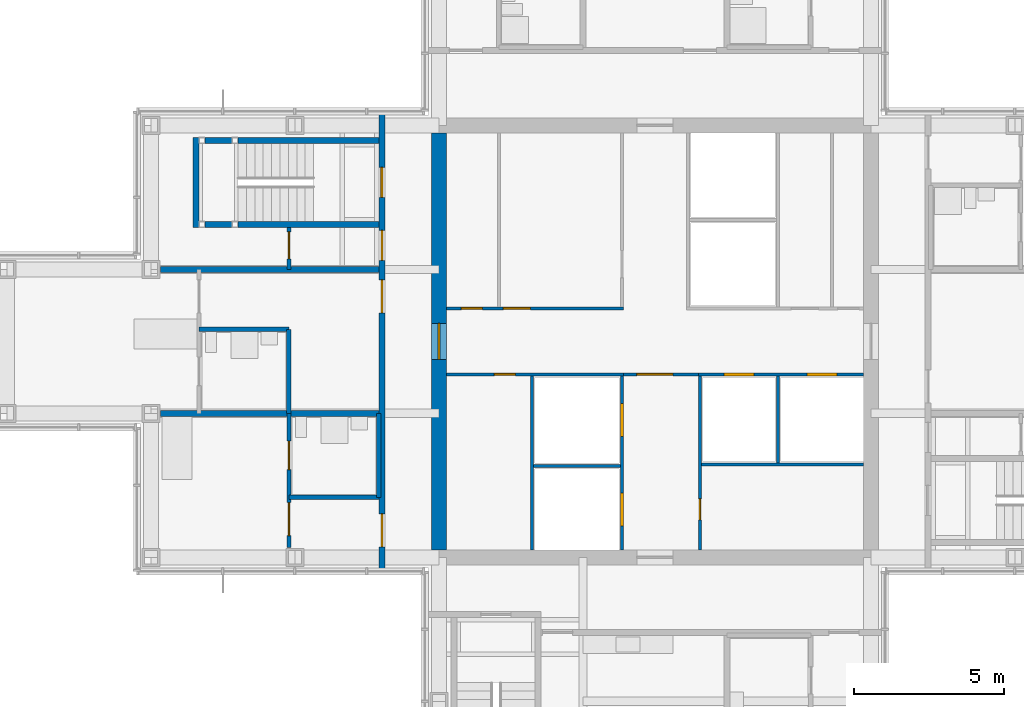
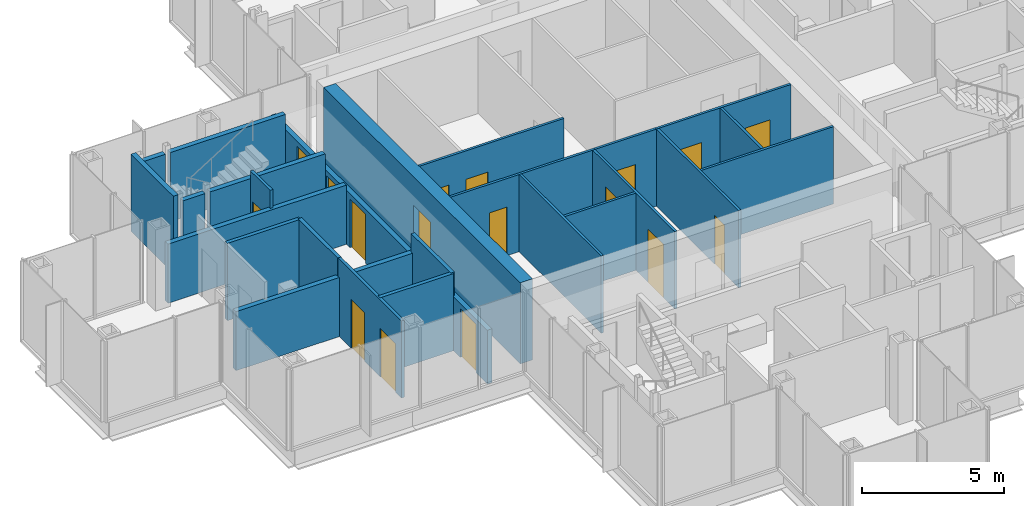
# One storey, part 12 of 17: 25 walls, 17 doors, 17 openings.
"""IFC4 building model written with IfcOpenShell, lengths in metres."""

import ifcopenshell
import ifcopenshell.guid

model = None  # the IFC model being written
_history = None  # IfcOwnerHistory: only IFC2X3 demands one
_inside = {}  # id of a spatial element -> (the spatial element, [elements in it])
_under = {}  # id of a project, library or spatial element -> (it, [spatial elements below it])
_declared = {}  # id of a project -> (the project, [libraries it declares])
_typed = {}  # id of a type object -> (the type object, [elements of that type])
_made_of = {}  # id of a material, layer set ... -> (it, [elements and type objects made of it])


def new_model(schema):
    """Start an empty IFC model of exactly this schema.

    Asked for "IFC4X3", IfcOpenShell would pick the latest addendum, in which some entities
    have other attributes; the version numbers below select the first issue.
    IFC2X3 requires an IfcOwnerHistory on every rooted entity: one is made here for all.
    """
    global model, _history
    if schema == "IFC4X3":
        model = ifcopenshell.file(schema_version=(4, 3, 0, 0))
    else:
        model = ifcopenshell.file(schema=schema)
    _inside.clear()
    _under.clear()
    _declared.clear()
    _typed.clear()
    _made_of.clear()
    _history = None
    if model.schema == "IFC2X3":
        org = make("IfcOrganization", Name="unknown")
        user = make(
            "IfcPersonAndOrganization",
            ThePerson=make("IfcPerson", FamilyName="unknown"),
            TheOrganization=org,
        )
        app = make(
            "IfcApplication",
            ApplicationDeveloper=org,
            Version="unknown",
            ApplicationFullName="unknown",
            ApplicationIdentifier="unknown",
        )
        _history = make(
            "IfcOwnerHistory",
            OwningUser=user,
            OwningApplication=app,
            ChangeAction="ADDED",
            CreationDate=0,
        )
    return model


def make(cls, **values):
    """One entity of the class cls with the attributes given. An attribute that is None is left unset."""
    return model.create_entity(
        cls, **{name: value for name, value in values.items() if value is not None}
    )


def rooted(cls, **values):
    """An entity with a GlobalId (a new one), such as an element, a storey or a relation."""
    return make(cls, GlobalId=ifcopenshell.guid.new(), OwnerHistory=_history, **values)


def si_unit(unit_type, name, prefix=None):
    """IfcSIUnit, for example si_unit("LENGTHUNIT", "METRE", prefix="MILLI")."""
    return make("IfcSIUnit", UnitType=unit_type, Prefix=prefix, Name=name)


def assignment(units):
    """IfcUnitAssignment: the units of a project."""
    return None if units is None else make("IfcUnitAssignment", Units=units)


def point(xyz):
    """IfcCartesianPoint."""
    return None if xyz is None else make("IfcCartesianPoint", Coordinates=xyz)


def direction(xyz):
    """IfcDirection."""
    return None if xyz is None else make("IfcDirection", DirectionRatios=xyz)


def frame(location, z_axis=None, x_axis=None):
    """IfcAxis2Placement3D, a coordinate frame: its origin and axes. An axis left out is left unset."""
    return make(
        "IfcAxis2Placement3D",
        Location=point(location),
        Axis=direction(z_axis),
        RefDirection=direction(x_axis),
    )


def frame_2d(location, x_axis=None):
    """IfcAxis2Placement2D, a coordinate frame in the plane: its origin and x axis."""
    return make(
        "IfcAxis2Placement2D", Location=point(location), RefDirection=direction(x_axis)
    )


def origin():
    """The frame at (0, 0, 0) with its axes left unset."""
    return frame((0.0, 0.0, 0.0))


def place(relative_to, where):
    """IfcLocalPlacement: puts the frame where relative to a parent placement (None: the world)."""
    return make(
        "IfcLocalPlacement", PlacementRelTo=relative_to, RelativePlacement=where
    )


def context(
    kind, dimensions, precision=None, world=None, true_north=None, identifier=None
):
    """IfcGeometricRepresentationContext, for example the 3D "Model" context."""
    return make(
        "IfcGeometricRepresentationContext",
        ContextIdentifier=identifier,
        ContextType=kind,
        CoordinateSpaceDimension=dimensions,
        Precision=precision,
        WorldCoordinateSystem=world,
        TrueNorth=true_north,
    )


def subcontext(parent, identifier, kind, view, scale=None):
    """IfcGeometricRepresentationSubContext, for example "Body" below "Model"."""
    return make(
        "IfcGeometricRepresentationSubContext",
        ContextIdentifier=identifier,
        ContextType=kind,
        ParentContext=parent,
        TargetScale=scale,
        TargetView=view,
    )


def project(units=None, contexts=None):
    """IfcProject with its units and contexts."""
    return rooted(
        "IfcProject",
        Name="project",
        RepresentationContexts=contexts,
        UnitsInContext=assignment(units),
    )


def spatial(cls, under=None, at=None, **own):
    """A site, building, storey or space (cls), placed at a placement, below another one or the project."""
    s = rooted(cls, ObjectPlacement=at, **own)
    if under is not None:
        _under.setdefault(under.id(), (under, []))[1].append(s)
    return s


def profile(cls, at=None, kind="AREA", **sizes):
    """A parametric profile (cls). Its sizes go by their IFC names, for example OverallWidth=200.0."""
    return make(cls, ProfileType=kind, Position=at, **sizes)


def rectangle(**sizes):
    """IfcRectangleProfileDef."""
    return profile("IfcRectangleProfileDef", **sizes)


def extrude(swept, where, along, depth):
    """IfcExtrudedAreaSolid: the profile swept, set in the frame where, extruded along a direction by depth."""
    return make(
        "IfcExtrudedAreaSolid",
        SweptArea=swept,
        Position=where,
        ExtrudedDirection=direction(along),
        Depth=depth,
    )


def shape(context_of_items, identifier, shape_type, items):
    """IfcShapeRepresentation: the items that make up one representation, for example the "Body"."""
    return make(
        "IfcShapeRepresentation",
        ContextOfItems=context_of_items,
        RepresentationIdentifier=identifier,
        RepresentationType=shape_type,
        Items=items,
    )


def material(Name=None, Category=None):
    """IfcMaterial."""
    return make("IfcMaterial", Name=Name, Category=Category)


def layer(
    of_material, thickness, ventilated=None, Name=None, Category=None, Priority=None
):
    """IfcMaterialLayer: one layer of a wall or slab, of a material (None: an air gap)."""
    return make(
        "IfcMaterialLayer",
        Material=of_material,
        LayerThickness=thickness,
        IsVentilated=ventilated,
        Name=Name,
        Category=Category,
        Priority=Priority,
    )


def layer_set(layers, Name=None):
    """IfcMaterialLayerSet."""
    return make("IfcMaterialLayerSet", MaterialLayers=layers, LayerSetName=Name)


def made_of(thing, what):
    """Note that an element or type object is made of a material, layer set ...; save() writes the relation."""
    if what is not None:
        _made_of.setdefault(what.id(), (what, []))[1].append(thing)
    return thing


def type_object(cls, material=None, **own):
    """A type object (cls), such as IfcWallType, which elements share."""
    return made_of(rooted(cls, **own), material)


def element(
    cls,
    number,
    at=None,
    inside=None,
    cuts=None,
    type_object=None,
    material=None,
    context=None,
    identifier="Body",
    shape_type=None,
    held_by="IfcProductDefinitionShape",
    body=None,
    shapes=None,
    **own,
):
    """One element of the class cls, such as IfcWall. Its Tag is "e" and its number.

    at: its placement. inside: the storey or other place that contains it. cuts: it is an
    opening in that element (IfcRelVoidsElement). A single representation is given by context,
    identifier, shape_type and body (its items); several are given by shapes. held_by: the class
    of the entity that holds the representations. save() writes the other relations.
    """
    e = rooted(cls, Tag="e%d" % number, ObjectPlacement=at, **own)
    if body is not None:
        shapes = [shape(context, identifier, shape_type, body)]
    if shapes is not None:
        e.Representation = make(held_by, Representations=shapes)
    if inside is not None:
        _inside.setdefault(inside.id(), (inside, []))[1].append(e)
    if cuts is not None:
        rooted(
            "IfcRelVoidsElement", RelatingBuildingElement=cuts, RelatedOpeningElement=e
        )
    if type_object is not None:
        _typed.setdefault(type_object.id(), (type_object, []))[1].append(e)
    return made_of(e, material)


def fill(opening, filler):
    """IfcRelFillsElement: the door or window that sits in an opening."""
    return rooted(
        "IfcRelFillsElement",
        RelatingOpeningElement=opening,
        RelatedBuildingElement=filler,
    )


def aggregate(whole, parts):
    """IfcRelAggregates: a whole, such as a stair, and the parts it consists of."""
    return rooted("IfcRelAggregates", RelatingObject=whole, RelatedObjects=parts)


def save(model, path):
    """Write the relations noted so far, then the file.

    IfcRelAggregates (storeys below a building ...), IfcRelContainedInSpatialStructure (elements
    in a storey), IfcRelDefinesByType, IfcRelAssociatesMaterial and IfcRelDeclares: one each for
    every whole, place, type object, material and project.
    """
    for whole, parts in _under.values():
        aggregate(whole, parts)
    for where, things in _inside.values():
        rooted(
            "IfcRelContainedInSpatialStructure",
            RelatedElements=things,
            RelatingStructure=where,
        )
    for kind, things in _typed.values():
        rooted("IfcRelDefinesByType", RelatedObjects=things, RelatingType=kind)
    for what, things in _made_of.values():
        rooted("IfcRelAssociatesMaterial", RelatedObjects=things, RelatingMaterial=what)
    for by, libraries in _declared.values():
        rooted("IfcRelDeclares", RelatingContext=by, RelatedDefinitions=libraries)
    model.write(path)


model = new_model("IFC4")

# Units and contexts
model_context = context("Model", 3, precision=1e-05, world=origin(), true_north=direction((0.0, 1.0)))
body_context = subcontext(model_context, "Body", "Model", "MODEL_VIEW")
ifc_project = project(units=[si_unit("LENGTHUNIT", "METRE"), si_unit("AREAUNIT", "SQUARE_METRE"), si_unit("VOLUMEUNIT", "CUBIC_METRE"), si_unit("PLANEANGLEUNIT", "RADIAN"), si_unit("MASSUNIT", "GRAM", prefix="KILO")], contexts=[model_context])

# Site, building, storey
site_placement = place(None, origin())
site = spatial("IfcSite", under=ifc_project, at=site_placement, CompositionType="ELEMENT")
building_placement = place(site_placement, origin())
building = spatial("IfcBuilding", under=site, at=building_placement, Name="Kvirike Care Tower", CompositionType="ELEMENT")
storey_placement = place(building_placement, frame((0.0, 0.0, 144.5)))
storey = spatial("IfcBuildingStorey", under=building, at=storey_placement, Name="L39", CompositionType="ELEMENT", Elevation=144.5)

# Walls
ifc_material_1 = material(Name="Moisture-resistant board partition", Category="gypsum")
ifc_layer_1 = layer(ifc_material_1, 0.14990234375)
ifc_layer_set_1 = layer_set([ifc_layer_1], Name="BATHROOM WALL 150")
wall_type_1 = type_object("IfcWallType", Name="BATHROOM WALL 150", PredefinedType="PARTITIONING", material=ifc_layer_set_1)
wall_1_placement = place(storey_placement, frame((6.39990234375, 36.39990234375, 0.0), z_axis=(0.0, 0.0, 1.0), x_axis=(1.0, 0.0, 0.0)))
element("IfcWall", 1, at=wall_1_placement, inside=storey, type_object=wall_type_1, Name="Bathroom Wall 150 L39", PredefinedType="PARTITIONING", context=body_context, shape_type="SweptSolid", body=[
    extrude(rectangle(XDim=3.0, YDim=0.14990234375, at=frame_2d((1.5, 0.0))), origin(), (0.0, 0.0, 1.0), 3.330078125),
])
wall_2_placement = place(storey_placement, frame((9.39990234375, 36.39990234375, 0.0), z_axis=(0.0, 0.0, 1.0), x_axis=(0.0, -1.0, 0.0)))
element("IfcWall", 2, at=wall_2_placement, inside=storey, type_object=wall_type_1, Name="Bathroom Wall 150 L39", PredefinedType="PARTITIONING", context=body_context, shape_type="SweptSolid", body=[
    extrude(rectangle(XDim=2.7998046875, YDim=0.14990234375, at=frame_2d((1.39990234375, 0.0))), origin(), (0.0, 0.0, 1.0), 3.330078125),
])
wall_3_placement = place(storey_placement, frame((9.39990234375, 30.800048828125, 0.0), z_axis=(0.0, 0.0, 1.0), x_axis=(1.0, 0.0, 0.0)))
element("IfcWall", 3, at=wall_3_placement, inside=storey, type_object=wall_type_1, Name="Bathroom Wall 150 L39", PredefinedType="PARTITIONING", context=body_context, shape_type="SweptSolid", body=[
    extrude(rectangle(XDim=3.0, YDim=0.14990234375, at=frame_2d((1.5, 0.0))), origin(), (0.0, 0.0, 1.0), 3.330078125),
])
wall_4_placement = place(storey_placement, frame((12.39990234375, 33.60009765625, 0.0), z_axis=(0.0, 0.0, 1.0), x_axis=(0.0, -1.0, 0.0)))
element("IfcWall", 4, at=wall_4_placement, inside=storey, type_object=wall_type_1, Name="Bathroom Wall 150 L39", PredefinedType="PARTITIONING", context=body_context, shape_type="SweptSolid", body=[
    extrude(rectangle(XDim=2.800048828125, YDim=0.14990234375, at=frame_2d((1.39990234375, 0.0))), origin(), (0.0, 0.0, 1.0), 3.330078125),
])

# Wall, opening, door
ifc_material_2 = material(Name="Concrete C45/55", Category="concrete")
ifc_layer_2 = layer(ifc_material_2, 0.5)
ifc_layer_set_2 = layer_set([ifc_layer_2], Name="CORE WALL 500 C45-55")
wall_type_2 = type_object("IfcWallType", Name="CORE WALL 500 C45-55", PredefinedType="SHEAR", material=ifc_layer_set_2)
wall_5_placement = place(storey_placement, frame((14.39990234375, 42.949951171875, -0.169921875), z_axis=(0.0, 0.0, 1.0), x_axis=(0.0, -1.0, 0.0)))
wall_5 = element("IfcWall", 5, at=wall_5_placement, inside=storey, type_object=wall_type_2, Name="Core wall W L39", PredefinedType="SHEAR", context=body_context, shape_type="SweptSolid", body=[
    extrude(rectangle(XDim=13.89990234375, YDim=0.5, at=frame_2d((6.949951171875, 0.0))), origin(), (0.0, 0.0, 1.0), 3.5),
])
opening_1_placement = place(wall_5_placement, frame((6.35009765625, 0.0, 0.169921875)))
opening_1 = element("IfcOpeningElement", 6, at=opening_1_placement, cuts=wall_5, Name="Opening 39-048", PredefinedType="OPENING", context=body_context, shape_type="SweptSolid", body=[
    extrude(rectangle(XDim=1.199951171875, YDim=2.10009765625, at=frame_2d((0.60009765625, 1.050048828125))), frame((0.0, 0.260498046875, 0.0), z_axis=(0.0, -1.0, 0.0), x_axis=(1.0, 0.0, 0.0)), (0.0, 0.0, 1.0), 0.52099609375),
])
ifc_material_3 = material(Name="Timber door set", Category="wood")
door_type_1 = type_object("IfcDoorType", Name="CORE DOOR 1200", OperationType="SINGLE_SWING_LEFT", PredefinedType="DOOR", material=ifc_material_3)
door_1_placement = place(opening_1_placement, origin())
door_1 = element("IfcDoor", 7, at=door_1_placement, inside=storey, type_object=door_type_1, Name="Core door W L39", OperationType="SINGLE_SWING_LEFT", OverallHeight=2.10009765625, OverallWidth=1.199951171875, PredefinedType="DOOR", context=body_context, shape_type="SweptSolid", body=[
    extrude(rectangle(XDim=1.199951171875, YDim=2.10009765625, at=frame_2d((0.60009765625, 1.050048828125))), frame((0.0, 0.02685546875, 0.0), z_axis=(0.0, -1.0, 0.0), x_axis=(1.0, 0.0, 0.0)), (0.0, 0.0, 1.0), 0.053955078125),
])
fill(opening_1, door_1)

# Wall, openings, doors
ifc_material_4 = material(Name="Plasterboard corridor wall", Category="gypsum")
ifc_layer_3 = layer(ifc_material_4, 0.199951171875)
ifc_layer_set_3 = layer_set([ifc_layer_3], Name="CORRIDOR WALL 200")
wall_type_3 = type_object("IfcWallType", Name="CORRIDOR WALL 200", PredefinedType="PARTITIONING", material=ifc_layer_set_3)
wall_6_placement = place(storey_placement, frame((12.5, 43.64990234375, 0.0), z_axis=(0.0, 0.0, 1.0), x_axis=(0.0, -1.0, 0.0)))
wall_6 = element("IfcWall", 8, at=wall_6_placement, inside=storey, type_object=wall_type_3, Name="Corridor Wall 200 L39", PredefinedType="PARTITIONING", context=body_context, shape_type="SweptSolid", body=[
    extrude(rectangle(XDim=15.2998046875, YDim=0.199951171875, at=frame_2d((7.64990234375, 0.0))), origin(), (0.0, 0.0, 1.0), 2.320068359375),
])
opening_2_placement = place(wall_6_placement, frame((1.85009765625, 0.0, 0.0)))
opening_2 = element("IfcOpeningElement", 9, at=opening_2_placement, cuts=wall_6, Name="Opening 39-006", PredefinedType="OPENING", context=body_context, shape_type="SweptSolid", body=[
    extrude(rectangle(XDim=1.0, YDim=2.10009765625, at=frame_2d((0.5, 1.050048828125))), frame((0.0, 0.110595703125, 0.0), z_axis=(0.0, -1.0, 0.0), x_axis=(1.0, 0.0, 0.0)), (0.0, 0.0, 1.0), 0.220947265625),
])
opening_3_placement = place(wall_6_placement, frame((3.949951171875, 0.0, 0.0)))
opening_3 = element("IfcOpeningElement", 10, at=opening_3_placement, cuts=wall_6, Name="Opening 39-007", PredefinedType="OPENING", context=body_context, shape_type="SweptSolid", body=[
    extrude(rectangle(XDim=1.0, YDim=2.10009765625, at=frame_2d((0.5, 1.050048828125))), frame((0.0, 0.110595703125, 0.0), z_axis=(0.0, -1.0, 0.0), x_axis=(1.0, 0.0, 0.0)), (0.0, 0.0, 1.0), 0.220947265625),
])
opening_4_placement = place(wall_6_placement, frame((5.60009765625, 0.0, 0.0)))
opening_4 = element("IfcOpeningElement", 11, at=opening_4_placement, cuts=wall_6, Name="Opening 39-008", PredefinedType="OPENING", context=body_context, shape_type="SweptSolid", body=[
    extrude(rectangle(XDim=1.10009765625, YDim=2.10009765625, at=frame_2d((0.550048828125, 1.050048828125))), frame((0.0, 0.110595703125, 0.0), z_axis=(0.0, -1.0, 0.0), x_axis=(1.0, 0.0, 0.0)), (0.0, 0.0, 1.0), 0.220947265625),
])
opening_5_placement = place(wall_6_placement, frame((13.39990234375, 0.0, 0.0)))
opening_5 = element("IfcOpeningElement", 12, at=opening_5_placement, cuts=wall_6, Name="Opening 39-009", PredefinedType="OPENING", context=body_context, shape_type="SweptSolid", body=[
    extrude(rectangle(XDim=1.10009765625, YDim=2.10009765625, at=frame_2d((0.550048828125, 1.050048828125))), frame((0.0, 0.110595703125, 0.0), z_axis=(0.0, -1.0, 0.0), x_axis=(1.0, 0.0, 0.0)), (0.0, 0.0, 1.0), 0.220947265625),
])
ifc_material_5 = material(Name="Timber door set", Category="wood")
door_type_2 = type_object("IfcDoorType", Name="BEDROOM ENTRANCE DOOR 1100", OperationType="SINGLE_SWING_LEFT", PredefinedType="DOOR", material=ifc_material_5)
door_2_placement = place(opening_4_placement, frame((1.10009765625, 0.0, 0.0), z_axis=(0.0, 0.0, 1.0), x_axis=(-1.0, 0.0, 0.0)))
door_2 = element("IfcDoor", 13, at=door_2_placement, inside=storey, type_object=door_type_2, Name="Memory care bedroom entrance", OperationType="SINGLE_SWING_LEFT", OverallHeight=2.10009765625, OverallWidth=1.10009765625, PredefinedType="DOOR", context=body_context, shape_type="SweptSolid", body=[
    extrude(rectangle(XDim=1.10009765625, YDim=2.10009765625, at=frame_2d((0.550048828125, 1.050048828125))), frame((0.0, 0.02685546875, 0.0), z_axis=(0.0, -1.0, 0.0), x_axis=(1.0, 0.0, 0.0)), (0.0, 0.0, 1.0), 0.053955078125),
])
fill(opening_4, door_2)
door_3_placement = place(opening_5_placement, frame((1.10009765625, 0.0, 0.0), z_axis=(0.0, 0.0, 1.0), x_axis=(-1.0, 0.0, 0.0)))
door_3 = element("IfcDoor", 14, at=door_3_placement, inside=storey, type_object=door_type_2, Name="Memory care bedroom entrance", OperationType="SINGLE_SWING_RIGHT", OverallHeight=2.10009765625, OverallWidth=1.10009765625, PredefinedType="DOOR", context=body_context, shape_type="SweptSolid", body=[
    extrude(rectangle(XDim=1.10009765625, YDim=2.10009765625, at=frame_2d((0.550048828125, 1.050048828125))), frame((0.0, 0.02685546875, 0.0), z_axis=(0.0, -1.0, 0.0), x_axis=(1.0, 0.0, 0.0)), (0.0, 0.0, 1.0), 0.053955078125),
])
fill(opening_5, door_3)
ifc_material_6 = material(Name="Timber door set", Category="wood")
door_type_3 = type_object("IfcDoorType", Name="FLAT ENTRANCE DOOR 1000", OperationType="SINGLE_SWING_LEFT", PredefinedType="DOOR", material=ifc_material_6)
door_4_placement = place(opening_3_placement, frame((1.0, 0.0, 0.0), z_axis=(0.0, 0.0, 1.0), x_axis=(-1.0, 0.0, 0.0)))
door_4 = element("IfcDoor", 15, at=door_4_placement, inside=storey, type_object=door_type_3, Name="Activity room entrance", OperationType="SINGLE_SWING_LEFT", OverallHeight=2.10009765625, OverallWidth=1.0, PredefinedType="DOOR", context=body_context, shape_type="SweptSolid", body=[
    extrude(rectangle(XDim=1.0, YDim=2.10009765625, at=frame_2d((0.5, 1.050048828125))), frame((0.0, 0.02685546875, 0.0), z_axis=(0.0, -1.0, 0.0), x_axis=(1.0, 0.0, 0.0)), (0.0, 0.0, 1.0), 0.053955078125),
])
fill(opening_3, door_4)
ifc_material_7 = material(Name="Timber door set", Category="wood")
door_type_4 = type_object("IfcDoorType", Name="STAIR DOOR 1000", OperationType="SINGLE_SWING_LEFT", PredefinedType="DOOR", material=ifc_material_7)
door_5_placement = place(opening_2_placement, frame((1.0, 0.0, 0.0), z_axis=(0.0, 0.0, 1.0), x_axis=(-1.0, 0.0, 0.0)))
door_5 = element("IfcDoor", 16, at=door_5_placement, inside=storey, type_object=door_type_4, Name="Stair 1 door", OperationType="SINGLE_SWING_RIGHT", OverallHeight=2.10009765625, OverallWidth=1.0, PredefinedType="DOOR", context=body_context, shape_type="SweptSolid", body=[
    extrude(rectangle(XDim=1.0, YDim=2.10009765625, at=frame_2d((0.5, 1.050048828125))), frame((0.0, 0.031982421875, 0.0), z_axis=(0.0, -1.0, 0.0), x_axis=(1.0, 0.0, 0.0)), (0.0, 0.0, 1.0), 0.06396484375),
])
fill(opening_2, door_5)

# Wall, opening, door
ifc_material_8 = material(Name="Plasterboard partition", Category="gypsum")
ifc_layer_4 = layer(ifc_material_8, 0.1201171875)
ifc_layer_set_4 = layer_set([ifc_layer_4], Name="PARTITION 120")
wall_type_4 = type_object("IfcWallType", Name="PARTITION 120", PredefinedType="PARTITIONING", material=ifc_layer_set_4)
wall_7_placement = place(storey_placement, frame((9.39990234375, 39.800048828125, 0.0), z_axis=(0.0, 0.0, 1.0), x_axis=(0.0, -1.0, 0.0)))
wall_7 = element("IfcWall", 17, at=wall_7_placement, inside=storey, type_object=wall_type_4, Name="Partition 120 L39", PredefinedType="PARTITIONING", context=body_context, shape_type="SweptSolid", body=[
    extrude(rectangle(XDim=1.400146484375, YDim=0.1201171875, at=frame_2d((0.7001953125, 0.0))), origin(), (0.0, 0.0, 1.0), 3.330078125),
])
opening_6_placement = place(wall_7_placement, frame((0.14990234375, 0.0, 0.0)))
opening_6 = element("IfcOpeningElement", 18, at=opening_6_placement, cuts=wall_7, Name="Opening 39-001", PredefinedType="OPENING", context=body_context, shape_type="SweptSolid", body=[
    extrude(rectangle(XDim=0.89990234375, YDim=2.10009765625, at=frame_2d((0.449951171875, 1.050048828125))), frame((0.0, 0.070556640625, 0.0), z_axis=(0.0, -1.0, 0.0), x_axis=(1.0, 0.0, 0.0)), (0.0, 0.0, 1.0), 0.14111328125),
])
ifc_material_9 = material(Name="Timber door set", Category="wood")
door_type_5 = type_object("IfcDoorType", Name="INTERNAL DOOR 900", OperationType="SINGLE_SWING_LEFT", PredefinedType="DOOR", material=ifc_material_9)
door_6_placement = place(opening_6_placement, origin())
door_6 = element("IfcDoor", 19, at=door_6_placement, inside=storey, type_object=door_type_5, Name="Activity room door", OperationType="SINGLE_SWING_RIGHT", OverallHeight=2.10009765625, OverallWidth=0.89990234375, PredefinedType="DOOR", context=body_context, shape_type="SweptSolid", body=[
    extrude(rectangle(XDim=0.89990234375, YDim=2.10009765625, at=frame_2d((0.449951171875, 1.050048828125))), frame((0.0, 0.02197265625, 0.0), z_axis=(0.0, -1.0, 0.0), x_axis=(1.0, 0.0, 0.0)), (0.0, 0.0, 1.0), 0.0439453125),
])
fill(opening_6, door_6)

# Wall, openings, doors
wall_8_placement = place(storey_placement, frame((9.39990234375, 33.60009765625, 0.0), z_axis=(0.0, 0.0, 1.0), x_axis=(0.0, -1.0, 0.0)))
wall_8 = element("IfcWall", 20, at=wall_8_placement, inside=storey, type_object=wall_type_4, Name="Partition 120 L39", PredefinedType="PARTITIONING", context=body_context, shape_type="SweptSolid", body=[
    extrude(rectangle(XDim=4.47998046875, YDim=0.1201171875, at=frame_2d((2.239990234375, 0.0))), origin(), (0.0, 0.0, 1.0), 3.330078125),
])
opening_7_placement = place(wall_8_placement, frame((2.97509765625, 0.0, 0.0)))
opening_7 = element("IfcOpeningElement", 21, at=opening_7_placement, cuts=wall_8, Name="Opening 39-004", PredefinedType="OPENING", context=body_context, shape_type="SweptSolid", body=[
    extrude(rectangle(XDim=1.10009765625, YDim=2.10009765625, at=frame_2d((0.550048828125, 1.050048828125))), frame((0.0, 0.070556640625, 0.0), z_axis=(0.0, -1.0, 0.0), x_axis=(1.0, 0.0, 0.0)), (0.0, 0.0, 1.0), 0.14111328125),
])
opening_8_placement = place(wall_8_placement, frame((0.925048828125, 0.0, 0.0)))
opening_8 = element("IfcOpeningElement", 22, at=opening_8_placement, cuts=wall_8, Name="Opening 39-005", PredefinedType="OPENING", context=body_context, shape_type="SweptSolid", body=[
    extrude(rectangle(XDim=0.949951171875, YDim=2.10009765625, at=frame_2d((0.47509765625, 1.050048828125))), frame((0.0, 0.070556640625, 0.0), z_axis=(0.0, -1.0, 0.0), x_axis=(1.0, 0.0, 0.0)), (0.0, 0.0, 1.0), 0.14111328125),
])
ifc_material_10 = material(Name="Timber door set", Category="wood")
door_type_6 = type_object("IfcDoorType", Name="BEDROOM DOOR 1100", OperationType="SINGLE_SWING_LEFT", PredefinedType="DOOR", material=ifc_material_10)
door_7_placement = place(opening_7_placement, origin())
door_7 = element("IfcDoor", 23, at=door_7_placement, inside=storey, type_object=door_type_6, Name="Memory care bedroom door", OperationType="SINGLE_SWING_RIGHT", OverallHeight=2.10009765625, OverallWidth=1.10009765625, PredefinedType="DOOR", context=body_context, shape_type="SweptSolid", body=[
    extrude(rectangle(XDim=1.10009765625, YDim=2.10009765625, at=frame_2d((0.550048828125, 1.050048828125))), frame((0.0, 0.02197265625, 0.0), z_axis=(0.0, -1.0, 0.0), x_axis=(1.0, 0.0, 0.0)), (0.0, 0.0, 1.0), 0.0439453125),
])
fill(opening_7, door_7)
ifc_material_11 = material(Name="Timber door set", Category="wood")
door_type_7 = type_object("IfcDoorType", Name="EN-SUITE SLIDING DOOR 950", OperationType="SLIDING_TO_LEFT", PredefinedType="DOOR", material=ifc_material_11)
door_8_placement = place(opening_8_placement, origin())
door_8 = element("IfcDoor", 24, at=door_8_placement, inside=storey, type_object=door_type_7, Name="En-suite door", OperationType="SLIDING_TO_LEFT", OverallHeight=2.10009765625, OverallWidth=0.949951171875, PredefinedType="DOOR", context=body_context, shape_type="SweptSolid", body=[
    extrude(rectangle(XDim=0.949951171875, YDim=2.10009765625, at=frame_2d((0.47509765625, 1.050048828125))), frame((0.0, 0.02197265625, 0.0), z_axis=(0.0, -1.0, 0.0), x_axis=(1.0, 0.0, 0.0)), (0.0, 0.0, 1.0), 0.0439453125),
])
fill(opening_8, door_8)

# Walls
ifc_material_12 = material(Name="Plasterboard party wall", Category="gypsum")
ifc_layer_5 = layer(ifc_material_12, 0.199951171875)
ifc_layer_set_5 = layer_set([ifc_layer_5], Name="PARTY WALL 200")
wall_type_5 = type_object("IfcWallType", Name="PARTY WALL 200", PredefinedType="PARTITIONING", material=ifc_layer_set_5)
for number, where, z_axis, x_axis, name in (
    (25, (5.1201171875, 38.39990234375, 0.0), (0.0, 0.0, 1.0), (1.0, 0.0, 0.0), "Party Wall 200 L39"),
    (26, (5.1201171875, 33.60009765625, 0.0), (0.0, 0.0, 1.0), (1.0, 0.0, 0.0), "Party Wall 200 L39"),
):
    element("IfcWall", number, at=place(storey_placement, frame(where, z_axis=z_axis, x_axis=x_axis)), inside=storey, type_object=wall_type_5, Name=name, PredefinedType="PARTITIONING", context=body_context, shape_type="SweptSolid", body=[
        extrude(rectangle(XDim=7.27978515625, YDim=0.199951171875, at=frame_2d((3.639892578125, 0.0))), origin(), (0.0, 0.0, 1.0), 2.550048828125),
    ])

# Wall, openings, doors
ifc_material_13 = material(Name="Gypsum shaft wall system", Category="gypsum")
ifc_layer_6 = layer(ifc_material_13, 0.10009765625)
ifc_layer_set_6 = layer_set([ifc_layer_6], Name="SHAFT WALL 100")
wall_type_6 = type_object("IfcWallType", Name="SHAFT WALL 100", PredefinedType="SOLIDWALL", material=ifc_layer_set_6)
wall_9_placement = place(storey_placement, frame((20.5, 29.050048828125, 0.0), z_axis=(0.0, 0.0, 1.0), x_axis=(0.0, 1.0, 0.0)))
wall_9 = element("IfcWall", 27, at=wall_9_placement, inside=storey, type_object=wall_type_6, Name="Shaft Wall 100 L39", PredefinedType="SOLIDWALL", context=body_context, shape_type="SweptSolid", body=[
    extrude(rectangle(XDim=5.800048828125, YDim=0.10009765625, at=frame_2d((2.89990234375, 0.0))), origin(), (0.0, 0.0, 1.0), 3.330078125),
])
opening_9_placement = place(wall_9_placement, frame((0.800048828125, 0.0, 0.0)))
opening_9 = element("IfcOpeningElement", 28, at=opening_9_placement, cuts=wall_9, Name="Opening 39-035", PredefinedType="OPENING", context=body_context, shape_type="SweptSolid", body=[
    extrude(rectangle(XDim=1.10009765625, YDim=2.300048828125, at=frame_2d((0.550048828125, 1.14990234375))), frame((0.0, 0.060546875, 0.0), z_axis=(0.0, -1.0, 0.0), x_axis=(1.0, 0.0, 0.0)), (0.0, 0.0, 1.0), 0.12109375),
])
opening_10_placement = place(wall_9_placement, frame((3.77490234375, 0.0, 0.0)))
opening_10 = element("IfcOpeningElement", 29, at=opening_10_placement, cuts=wall_9, Name="Opening 39-036", PredefinedType="OPENING", context=body_context, shape_type="SweptSolid", body=[
    extrude(rectangle(XDim=1.10009765625, YDim=2.300048828125, at=frame_2d((0.550048828125, 1.14990234375))), frame((0.0, 0.060546875, 0.0), z_axis=(0.0, -1.0, 0.0), x_axis=(1.0, 0.0, 0.0)), (0.0, 0.0, 1.0), 0.12109375),
])
ifc_material_14 = material(Name="Aluminium door frame", Category="aluminium")
door_type_8 = type_object("IfcDoorType", Name="FIRE-FIGHTING LIFT LANDING DOOR 1100", OperationType="SLIDING_TO_LEFT", PredefinedType="DOOR", material=ifc_material_14)
door_9_placement = place(opening_9_placement, origin())
door_9 = element("IfcDoor", 30, at=door_9_placement, inside=storey, type_object=door_type_8, Name="Lift FF1 landing door", OperationType="SLIDING_TO_LEFT", OverallHeight=2.300048828125, OverallWidth=1.10009765625, PredefinedType="DOOR", context=body_context, shape_type="SweptSolid", body=[
    extrude(rectangle(XDim=1.10009765625, YDim=2.300048828125, at=frame_2d((0.550048828125, 1.14990234375))), frame((0.0, 0.0498046875, 0.0), z_axis=(0.0, -1.0, 0.0), x_axis=(1.0, 0.0, 0.0)), (0.0, 0.0, 1.0), 0.099609375),
])
fill(opening_9, door_9)
door_10_placement = place(opening_10_placement, origin())
door_10 = element("IfcDoor", 31, at=door_10_placement, inside=storey, type_object=door_type_8, Name="Lift FF2 landing door", OperationType="SLIDING_TO_LEFT", OverallHeight=2.300048828125, OverallWidth=1.10009765625, PredefinedType="DOOR", context=body_context, shape_type="SweptSolid", body=[
    extrude(rectangle(XDim=1.10009765625, YDim=2.300048828125, at=frame_2d((0.550048828125, 1.14990234375))), frame((0.0, 0.0498046875, 0.0), z_axis=(0.0, -1.0, 0.0), x_axis=(1.0, 0.0, 0.0)), (0.0, 0.0, 1.0), 0.099609375),
])
fill(opening_10, door_10)

# Wall, opening, door
wall_10_placement = place(storey_placement, frame((23.10009765625, 29.050048828125, 0.0), z_axis=(0.0, 0.0, 1.0), x_axis=(0.0, 1.0, 0.0)))
wall_10 = element("IfcWall", 32, at=wall_10_placement, inside=storey, type_object=wall_type_6, Name="Shaft Wall 100 L39", PredefinedType="SOLIDWALL", context=body_context, shape_type="SweptSolid", body=[
    extrude(rectangle(XDim=5.800048828125, YDim=0.10009765625, at=frame_2d((2.89990234375, 0.0))), origin(), (0.0, 0.0, 1.0), 3.330078125),
])
opening_11_placement = place(wall_10_placement, frame((1.0, 0.0, 0.0)))
opening_11 = element("IfcOpeningElement", 33, at=opening_11_placement, cuts=wall_10, Name="Opening 39-038", PredefinedType="OPENING", context=body_context, shape_type="SweptSolid", body=[
    extrude(rectangle(XDim=0.699951171875, YDim=2.10009765625, at=frame_2d((0.35009765625, 1.050048828125))), frame((0.0, 0.060546875, 0.0), z_axis=(0.0, -1.0, 0.0), x_axis=(1.0, 0.0, 0.0)), (0.0, 0.0, 1.0), 0.12109375),
])
ifc_material_15 = material(Name="Timber door set", Category="wood")
door_type_9 = type_object("IfcDoorType", Name="RISER DOOR 700", OperationType="SINGLE_SWING_LEFT", PredefinedType="DOOR", material=ifc_material_15)
door_11_placement = place(opening_11_placement, origin())
door_11 = element("IfcDoor", 34, at=door_11_placement, inside=storey, type_object=door_type_9, Name="Riser door", OperationType="SINGLE_SWING_RIGHT", OverallHeight=2.10009765625, OverallWidth=0.699951171875, PredefinedType="DOOR", context=body_context, shape_type="SweptSolid", body=[
    extrude(rectangle(XDim=0.699951171875, YDim=2.10009765625, at=frame_2d((0.35009765625, 1.050048828125))), frame((0.0, 0.02685546875, 0.0), z_axis=(0.0, -1.0, 0.0), x_axis=(1.0, 0.0, 0.0)), (0.0, 0.0, 1.0), 0.053955078125),
])
fill(opening_11, door_11)

wall_11_placement = place(storey_placement, frame((14.64990234375, 34.89990234375, 0.0), z_axis=(0.0, 0.0, 1.0), x_axis=(1.0, 0.0, 0.0)))
wall_11 = element("IfcWall", 35, at=wall_11_placement, inside=storey, type_object=wall_type_6, Name="Shaft Wall 100 L39", PredefinedType="SOLIDWALL", context=body_context, shape_type="SweptSolid", body=[
    extrude(rectangle(XDim=5.900146484375, YDim=0.10009765625, at=frame_2d((2.9501953125, 0.0))), origin(), (0.0, 0.0, 1.0), 3.330078125),
])
opening_12_placement = place(wall_11_placement, frame((1.60009765625, 0.0, 0.0)))
opening_12 = element("IfcOpeningElement", 36, at=opening_12_placement, cuts=wall_11, Name="Opening 39-039", PredefinedType="OPENING", context=body_context, shape_type="SweptSolid", body=[
    extrude(rectangle(XDim=0.699951171875, YDim=2.10009765625, at=frame_2d((0.35009765625, 1.050048828125))), frame((0.0, 0.060546875, 0.0), z_axis=(0.0, -1.0, 0.0), x_axis=(1.0, 0.0, 0.0)), (0.0, 0.0, 1.0), 0.12109375),
])
door_12_placement = place(opening_12_placement, frame((0.699951171875, 0.0, 0.0), z_axis=(0.0, 0.0, 1.0), x_axis=(-1.0, 0.0, 0.0)))
door_12 = element("IfcDoor", 37, at=door_12_placement, inside=storey, type_object=door_type_9, Name="Riser door", OperationType="SINGLE_SWING_RIGHT", OverallHeight=2.10009765625, OverallWidth=0.699951171875, PredefinedType="DOOR", context=body_context, shape_type="SweptSolid", body=[
    extrude(rectangle(XDim=0.699951171875, YDim=2.10009765625, at=frame_2d((0.35009765625, 1.050048828125))), frame((0.0, 0.02685546875, 0.0), z_axis=(0.0, -1.0, 0.0), x_axis=(1.0, 0.0, 0.0)), (0.0, 0.0, 1.0), 0.053955078125),
])
fill(opening_12, door_12)

# Wall, openings, doors
wall_12_placement = place(storey_placement, frame((23.050048828125, 34.89990234375, 0.0), z_axis=(0.0, 0.0, 1.0), x_axis=(1.0, 0.0, 0.0)))
wall_12 = element("IfcWall", 38, at=wall_12_placement, inside=storey, type_object=wall_type_6, Name="Shaft Wall 100 L39", PredefinedType="SOLIDWALL", context=body_context, shape_type="SweptSolid", body=[
    extrude(rectangle(XDim=5.5, YDim=0.10009765625, at=frame_2d((2.75, 0.0))), origin(), (0.0, 0.0, 1.0), 3.330078125),
])
opening_13_placement = place(wall_12_placement, frame((0.85009765625, 0.0, 0.0)))
opening_13 = element("IfcOpeningElement", 39, at=opening_13_placement, cuts=wall_12, Name="Opening 39-040", PredefinedType="OPENING", context=body_context, shape_type="SweptSolid", body=[
    extrude(rectangle(XDim=1.0, YDim=2.10009765625, at=frame_2d((0.5, 1.050048828125))), frame((0.0, 0.060546875, 0.0), z_axis=(0.0, -1.0, 0.0), x_axis=(1.0, 0.0, 0.0)), (0.0, 0.0, 1.0), 0.12109375),
])
opening_14_placement = place(wall_12_placement, frame((3.625, 0.0, 0.0)))
opening_14 = element("IfcOpeningElement", 40, at=opening_14_placement, cuts=wall_12, Name="Opening 39-041", PredefinedType="OPENING", context=body_context, shape_type="SweptSolid", body=[
    extrude(rectangle(XDim=1.0, YDim=2.10009765625, at=frame_2d((0.5, 1.050048828125))), frame((0.0, 0.060546875, 0.0), z_axis=(0.0, -1.0, 0.0), x_axis=(1.0, 0.0, 0.0)), (0.0, 0.0, 1.0), 0.12109375),
])
ifc_material_16 = material(Name="Aluminium door frame", Category="aluminium")
door_type_10 = type_object("IfcDoorType", Name="LIFT LANDING DOOR 1000", OperationType="SLIDING_TO_LEFT", PredefinedType="DOOR", material=ifc_material_16)
door_13_placement = place(opening_13_placement, origin())
door_13 = element("IfcDoor", 41, at=door_13_placement, inside=storey, type_object=door_type_10, Name="Lift P5 landing door", OperationType="SLIDING_TO_LEFT", OverallHeight=2.10009765625, OverallWidth=1.0, PredefinedType="DOOR", context=body_context, shape_type="SweptSolid", body=[
    extrude(rectangle(XDim=1.0, YDim=2.10009765625, at=frame_2d((0.5, 1.050048828125))), frame((0.0, 0.0498046875, 0.0), z_axis=(0.0, -1.0, 0.0), x_axis=(1.0, 0.0, 0.0)), (0.0, 0.0, 1.0), 0.099609375),
])
fill(opening_13, door_13)
door_14_placement = place(opening_14_placement, origin())
door_14 = element("IfcDoor", 42, at=door_14_placement, inside=storey, type_object=door_type_10, Name="Lift P6 landing door", OperationType="SLIDING_TO_LEFT", OverallHeight=2.10009765625, OverallWidth=1.0, PredefinedType="DOOR", context=body_context, shape_type="SweptSolid", body=[
    extrude(rectangle(XDim=1.0, YDim=2.10009765625, at=frame_2d((0.5, 1.050048828125))), frame((0.0, 0.0498046875, 0.0), z_axis=(0.0, -1.0, 0.0), x_axis=(1.0, 0.0, 0.0)), (0.0, 0.0, 1.0), 0.099609375),
])
fill(opening_14, door_14)

wall_13_placement = place(storey_placement, frame((14.64990234375, 37.10009765625, 0.0), z_axis=(0.0, 0.0, 1.0), x_axis=(1.0, 0.0, 0.0)))
wall_13 = element("IfcWall", 43, at=wall_13_placement, inside=storey, type_object=wall_type_6, Name="Shaft Wall 100 L39", PredefinedType="SOLIDWALL", context=body_context, shape_type="SweptSolid", body=[
    extrude(rectangle(XDim=5.900146484375, YDim=0.10009765625, at=frame_2d((2.9501953125, 0.0))), origin(), (0.0, 0.0, 1.0), 3.330078125),
])
opening_15_placement = place(wall_13_placement, frame((0.5, 0.0, 0.0)))
opening_15 = element("IfcOpeningElement", 44, at=opening_15_placement, cuts=wall_13, Name="Opening 39-042", PredefinedType="OPENING", context=body_context, shape_type="SweptSolid", body=[
    extrude(rectangle(XDim=0.699951171875, YDim=2.10009765625, at=frame_2d((0.35009765625, 1.050048828125))), frame((0.0, 0.060546875, 0.0), z_axis=(0.0, -1.0, 0.0), x_axis=(1.0, 0.0, 0.0)), (0.0, 0.0, 1.0), 0.12109375),
])
opening_16_placement = place(wall_13_placement, frame((1.89990234375, 0.0, 0.0)))
opening_16 = element("IfcOpeningElement", 45, at=opening_16_placement, cuts=wall_13, Name="Opening 39-043", PredefinedType="OPENING", context=body_context, shape_type="SweptSolid", body=[
    extrude(rectangle(XDim=0.89990234375, YDim=2.10009765625, at=frame_2d((0.449951171875, 1.050048828125))), frame((0.0, 0.060546875, 0.0), z_axis=(0.0, -1.0, 0.0), x_axis=(1.0, 0.0, 0.0)), (0.0, 0.0, 1.0), 0.12109375),
])
door_15_placement = place(opening_15_placement, origin())
door_15 = element("IfcDoor", 46, at=door_15_placement, inside=storey, type_object=door_type_9, Name="Riser door", OperationType="SINGLE_SWING_RIGHT", OverallHeight=2.10009765625, OverallWidth=0.699951171875, PredefinedType="DOOR", context=body_context, shape_type="SweptSolid", body=[
    extrude(rectangle(XDim=0.699951171875, YDim=2.10009765625, at=frame_2d((0.35009765625, 1.050048828125))), frame((0.0, 0.02685546875, 0.0), z_axis=(0.0, -1.0, 0.0), x_axis=(1.0, 0.0, 0.0)), (0.0, 0.0, 1.0), 0.053955078125),
])
fill(opening_15, door_15)
ifc_material_17 = material(Name="Timber door set", Category="wood")
door_type_11 = type_object("IfcDoorType", Name="STORE DOOR 900", OperationType="SINGLE_SWING_LEFT", PredefinedType="DOOR", material=ifc_material_17)
door_16_placement = place(opening_16_placement, origin())
door_16 = element("IfcDoor", 47, at=door_16_placement, inside=storey, type_object=door_type_11, Name="Housekeeping office door", OperationType="SINGLE_SWING_RIGHT", OverallHeight=2.10009765625, OverallWidth=0.89990234375, PredefinedType="DOOR", context=body_context, shape_type="SweptSolid", body=[
    extrude(rectangle(XDim=0.89990234375, YDim=2.10009765625, at=frame_2d((0.449951171875, 1.050048828125))), frame((0.0, 0.02685546875, 0.0), z_axis=(0.0, -1.0, 0.0), x_axis=(1.0, 0.0, 0.0)), (0.0, 0.0, 1.0), 0.053955078125),
])
fill(opening_16, door_16)

# Wall, opening, door
wall_14_placement = place(storey_placement, frame((20.550048828125, 34.89990234375, 0.0), z_axis=(0.0, 0.0, 1.0), x_axis=(1.0, 0.0, 0.0)))
wall_14 = element("IfcWall", 48, at=wall_14_placement, inside=storey, type_object=wall_type_6, Name="Shaft Wall 100 L39", PredefinedType="SOLIDWALL", context=body_context, shape_type="SweptSolid", body=[
    extrude(rectangle(XDim=2.5, YDim=0.10009765625, at=frame_2d((1.25, 0.0))), origin(), (0.0, 0.0, 1.0), 3.330078125),
])
opening_17_placement = place(wall_14_placement, frame((0.449951171875, 0.0, 0.0)))
opening_17 = element("IfcOpeningElement", 49, at=opening_17_placement, cuts=wall_14, Name="Opening 39-046", PredefinedType="OPENING", context=body_context, shape_type="SweptSolid", body=[
    extrude(rectangle(XDim=1.199951171875, YDim=2.10009765625, at=frame_2d((0.60009765625, 1.050048828125))), frame((0.0, 0.060546875, 0.0), z_axis=(0.0, -1.0, 0.0), x_axis=(1.0, 0.0, 0.0)), (0.0, 0.0, 1.0), 0.12109375),
])
door_17_placement = place(opening_17_placement, frame((1.199951171875, 0.0, 0.0), z_axis=(0.0, 0.0, 1.0), x_axis=(-1.0, 0.0, 0.0)))
door_17 = element("IfcDoor", 50, at=door_17_placement, inside=storey, type_object=door_type_1, Name="Fire-fighting lobby door", OperationType="SINGLE_SWING_LEFT", OverallHeight=2.10009765625, OverallWidth=1.199951171875, PredefinedType="DOOR", context=body_context, shape_type="SweptSolid", body=[
    extrude(rectangle(XDim=1.199951171875, YDim=2.10009765625, at=frame_2d((0.60009765625, 1.050048828125))), frame((0.0, 0.02685546875, 0.0), z_axis=(0.0, -1.0, 0.0), x_axis=(1.0, 0.0, 0.0)), (0.0, 0.0, 1.0), 0.053955078125),
])
fill(opening_17, door_17)

# Walls
wall_15_placement = place(storey_placement, frame((17.5, 29.050048828125, 0.0), z_axis=(0.0, 0.0, 1.0), x_axis=(0.0, 1.0, 0.0)))
element("IfcWall", 51, at=wall_15_placement, inside=storey, type_object=wall_type_6, Name="Shaft Wall 100 L39", PredefinedType="SOLIDWALL", context=body_context, shape_type="SweptSolid", body=[
    extrude(rectangle(XDim=5.800048828125, YDim=0.10009765625, at=frame_2d((2.89990234375, 0.0))), origin(), (0.0, 0.0, 1.0), 3.330078125),
])
wall_16_placement = place(storey_placement, frame((17.550048828125, 31.85009765625, 0.0), z_axis=(0.0, 0.0, 1.0), x_axis=(1.0, 0.0, 0.0)))
element("IfcWall", 52, at=wall_16_placement, inside=storey, type_object=wall_type_6, Name="Shaft Wall 100 L39", PredefinedType="SOLIDWALL", context=body_context, shape_type="SweptSolid", body=[
    extrude(rectangle(XDim=2.89990234375, YDim=0.10009765625, at=frame_2d((1.449951171875, 0.0))), origin(), (0.0, 0.0, 1.0), 3.330078125),
])
wall_17_placement = place(storey_placement, frame((25.699951171875, 31.949951171875, 0.0), z_axis=(0.0, 0.0, 1.0), x_axis=(0.0, 1.0, 0.0)))
element("IfcWall", 53, at=wall_17_placement, inside=storey, type_object=wall_type_6, Name="Shaft Wall 100 L39", PredefinedType="SOLIDWALL", context=body_context, shape_type="SweptSolid", body=[
    extrude(rectangle(XDim=2.900146484375, YDim=0.10009765625, at=frame_2d((1.4501953125, 0.0))), origin(), (0.0, 0.0, 1.0), 3.330078125),
])
wall_18_placement = place(storey_placement, frame((23.14990234375, 31.89990234375, 0.0), z_axis=(0.0, 0.0, 1.0), x_axis=(1.0, 0.0, 0.0)))
element("IfcWall", 54, at=wall_18_placement, inside=storey, type_object=wall_type_6, Name="Shaft Wall 100 L39", PredefinedType="SOLIDWALL", context=body_context, shape_type="SweptSolid", body=[
    extrude(rectangle(XDim=5.400146484375, YDim=0.10009765625, at=frame_2d((2.7001953125, 0.0))), origin(), (0.0, 0.0, 1.0), 3.330078125),
])
ifc_material_18 = material(Name="Concrete C40/50", Category="concrete")
ifc_layer_7 = layer(ifc_material_18, 0.199951171875)
ifc_layer_set_7 = layer_set([ifc_layer_7], Name="STAIR WALL 200")
wall_type_7 = type_object("IfcWallType", Name="STAIR WALL 200", PredefinedType="SOLIDWALL", material=ifc_layer_set_7)
wall_19_placement = place(storey_placement, frame((6.60009765625, 42.699951171875, 0.0), z_axis=(0.0, 0.0, 1.0), x_axis=(1.0, 0.0, 0.0)))
element("IfcWall", 55, at=wall_19_placement, inside=storey, type_object=wall_type_7, Name="Stair Wall 200 L39", PredefinedType="SOLIDWALL", context=body_context, shape_type="SweptSolid", body=[
    extrude(rectangle(XDim=0.89990234375, YDim=0.199951171875, at=frame_2d((0.449951171875, 0.0))), origin(), (0.0, 0.0, 1.0), 2.989990234375),
])
wall_20_placement = place(storey_placement, frame((7.699951171875, 42.699951171875, 0.0), z_axis=(0.0, 0.0, 1.0), x_axis=(1.0, 0.0, 0.0)))
element("IfcWall", 56, at=wall_20_placement, inside=storey, type_object=wall_type_7, Name="Stair Wall 200 L39", PredefinedType="SOLIDWALL", context=body_context, shape_type="SweptSolid", body=[
    extrude(rectangle(XDim=4.699951171875, YDim=0.199951171875, at=frame_2d((2.35009765625, 0.0))), origin(), (0.0, 0.0, 1.0), 2.989990234375),
])
wall_21_placement = place(storey_placement, frame((6.60009765625, 39.89990234375, 0.0), z_axis=(0.0, 0.0, 1.0), x_axis=(1.0, 0.0, 0.0)))
element("IfcWall", 57, at=wall_21_placement, inside=storey, type_object=wall_type_7, Name="Stair Wall 200 L39", PredefinedType="SOLIDWALL", context=body_context, shape_type="SweptSolid", body=[
    extrude(rectangle(XDim=0.89990234375, YDim=0.199951171875, at=frame_2d((0.449951171875, 0.0))), origin(), (0.0, 0.0, 1.0), 2.989990234375),
])
wall_22_placement = place(storey_placement, frame((7.699951171875, 39.89990234375, 0.0), z_axis=(0.0, 0.0, 1.0), x_axis=(1.0, 0.0, 0.0)))
element("IfcWall", 58, at=wall_22_placement, inside=storey, type_object=wall_type_7, Name="Stair Wall 200 L39", PredefinedType="SOLIDWALL", context=body_context, shape_type="SweptSolid", body=[
    extrude(rectangle(XDim=4.699951171875, YDim=0.199951171875, at=frame_2d((2.35009765625, 0.0))), origin(), (0.0, 0.0, 1.0), 2.989990234375),
])
wall_23_placement = place(storey_placement, frame((6.300048828125, 42.800048828125, 0.0), z_axis=(0.0, 0.0, 1.0), x_axis=(0.0, -1.0, 0.0)))
element("IfcWall", 59, at=wall_23_placement, inside=storey, type_object=wall_type_7, Name="Stair Wall 200 L39", PredefinedType="SOLIDWALL", context=body_context, shape_type="SweptSolid", body=[
    extrude(rectangle(XDim=3.0, YDim=0.199951171875, at=frame_2d((1.5, 0.0))), origin(), (0.0, 0.0, 1.0), 3.330078125),
])

save(model, "model.ifc")
